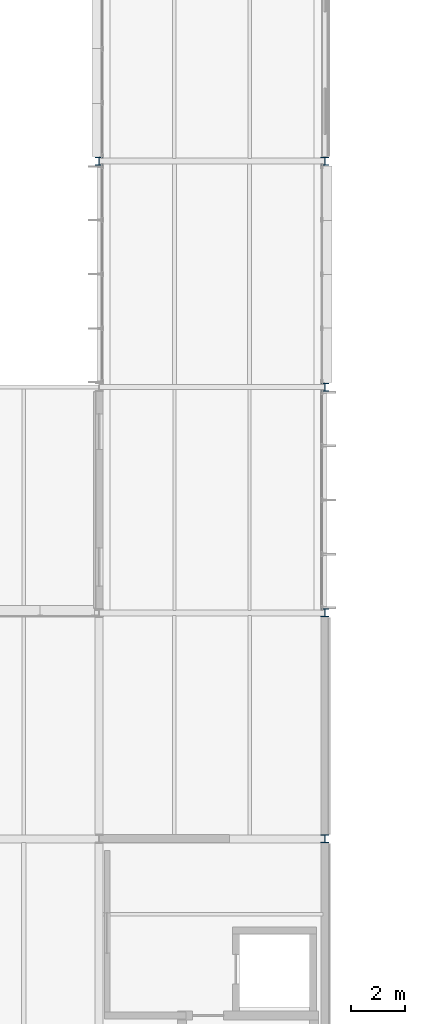
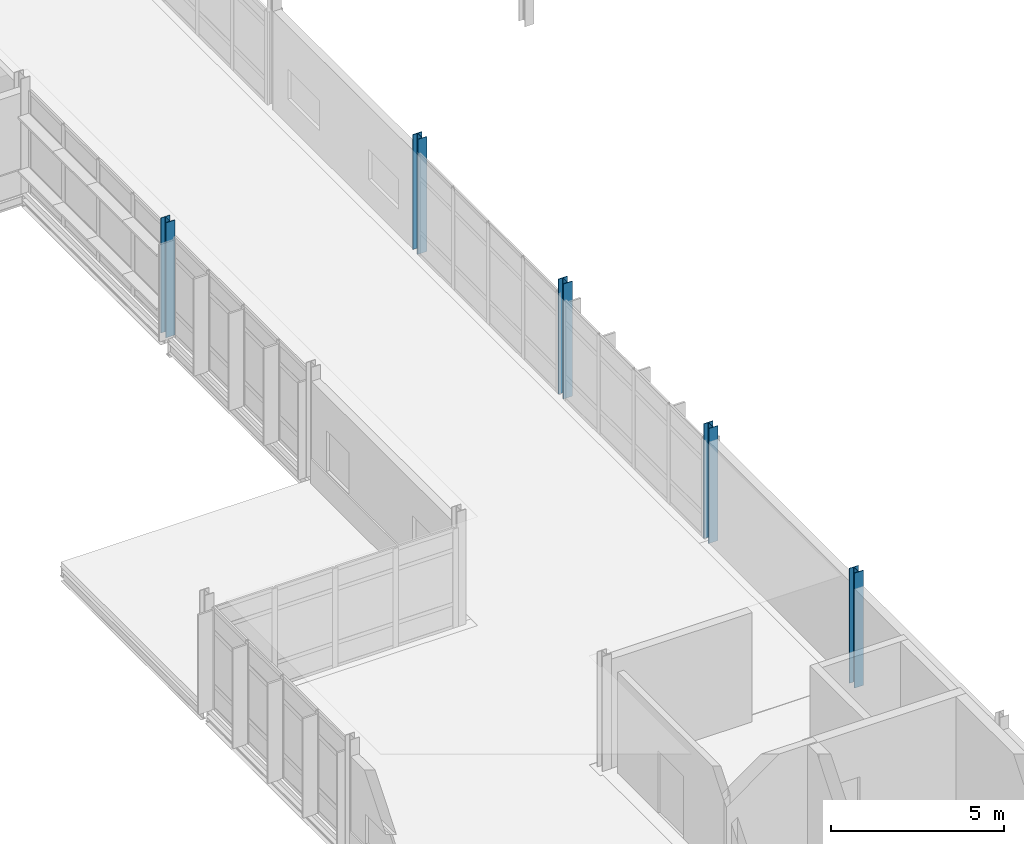
# One storey, part 4 of 66: 5 columns.
"""IFC4 building model written with IfcOpenShell, lengths in metres."""

from ifc_helpers import new_model, si_unit, direction, frame, origin, origin_2d, place, context, subcontext, project, spatial, i_section, extrude, material, material_profile, profile_set, type_object, element, save


model = new_model("IFC4")

# Units and contexts
model_context = context("Model", 3, precision=1e-05, world=origin(), true_north=direction((0.0, 1.0)))
body_context = subcontext(model_context, "Body", "Model", "MODEL_VIEW")
ifc_project = project(units=[si_unit("LENGTHUNIT", "METRE"), si_unit("AREAUNIT", "SQUARE_METRE"), si_unit("VOLUMEUNIT", "CUBIC_METRE"), si_unit("PLANEANGLEUNIT", "RADIAN"), si_unit("MASSUNIT", "GRAM", prefix="KILO")], contexts=[model_context])

# Site, building, storey
site_placement = place(None, origin())
site = spatial("IfcSite", under=ifc_project, at=site_placement, CompositionType="ELEMENT")
building_placement = place(site_placement, origin())
building = spatial("IfcBuilding", under=site, at=building_placement, Name="Mersafa Astral City Hall", CompositionType="ELEMENT")
storey_placement = place(building_placement, frame((0.0, 0.0, 22.050048828125)))
storey = spatial("IfcBuildingStorey", under=building, at=storey_placement, Name="L05", CompositionType="ELEMENT", Elevation=22.050048828125)

# Columns
ifc_material = material(Name="Steel S355", Category="steel")
ifc_material_profile = material_profile(ifc_material, i_section(OverallWidth=0.300048828125, OverallDepth=0.300048828125, WebThickness=0.010986328125, FlangeThickness=0.01904296875, FilletRadius=0.027099609375, at=origin_2d()), Name="HEB 300")
ifc_profile_set = profile_set([ifc_material_profile], Name="Steel S355")
column_type = type_object("IfcColumnType", Name="STR-COL-HEB300", PredefinedType="COLUMN", material=ifc_profile_set)
for number, where, z_axis, x_axis, name in (
    (1, (168.0, 92.39990234375, 0.0), (0.0, 0.0, 1.0), (1.0, 0.0, 0.0), "L05 Structural column G-20-11"),
    (2, (176.39990234375, 67.199951171875, 0.0), (0.0, 0.0, 1.0), (1.0, 0.0, 0.0), "L05 Structural column G-21-08"),
    (3, (176.39990234375, 75.60009765625, 0.0), (0.0, 0.0, 1.0), (1.0, 0.0, 0.0), "L05 Structural column G-21-09"),
    (4, (176.39990234375, 84.0, 0.0), (0.0, 0.0, 1.0), (1.0, 0.0, 0.0), "L05 Structural column G-21-10"),
    (5, (176.39990234375, 92.39990234375, 0.0), (0.0, 0.0, 1.0), (1.0, 0.0, 0.0), "L05 Structural column G-21-11"),
):
    element("IfcColumn", number, at=place(storey_placement, frame(where, z_axis=z_axis, x_axis=x_axis)), inside=storey, type_object=column_type, Name=name, PredefinedType="COLUMN", context=body_context, shape_type="SweptSolid", body=[
        extrude(i_section(OverallWidth=0.300048828125, OverallDepth=0.300048828125, WebThickness=0.010986328125, FlangeThickness=0.01904296875, FilletRadius=0.027099609375, at=origin_2d()), origin(), (0.0, 0.0, 1.0), 4.050048828125),
    ])

save(model, "model.ifc")
